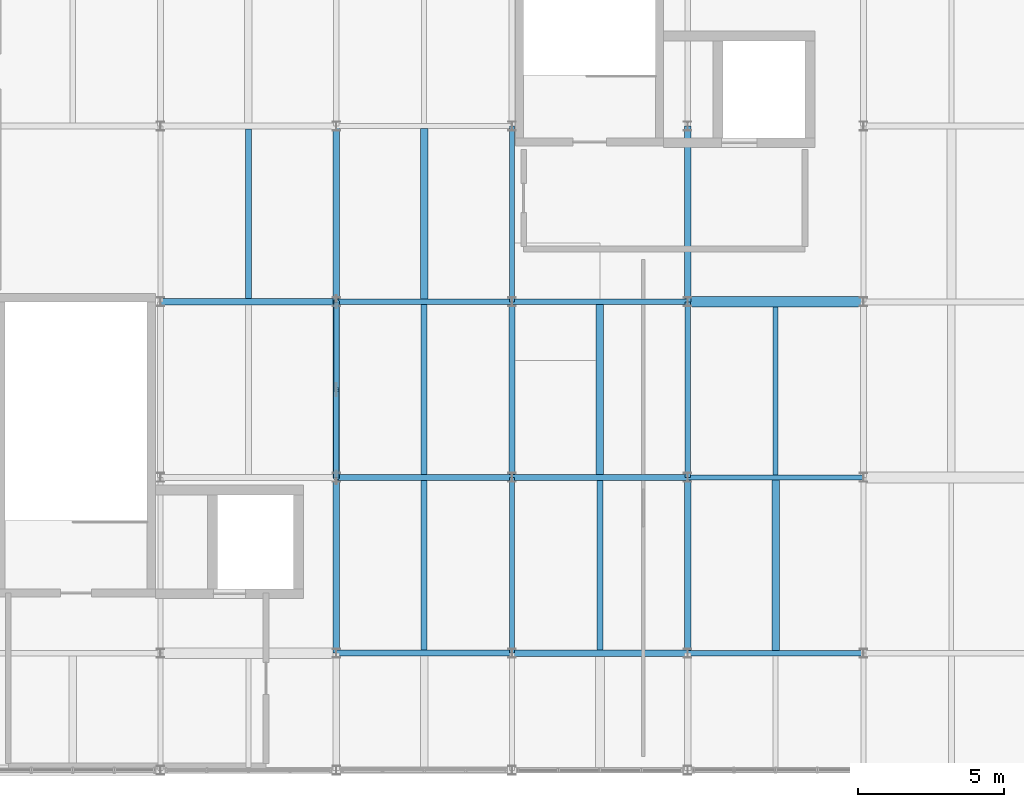
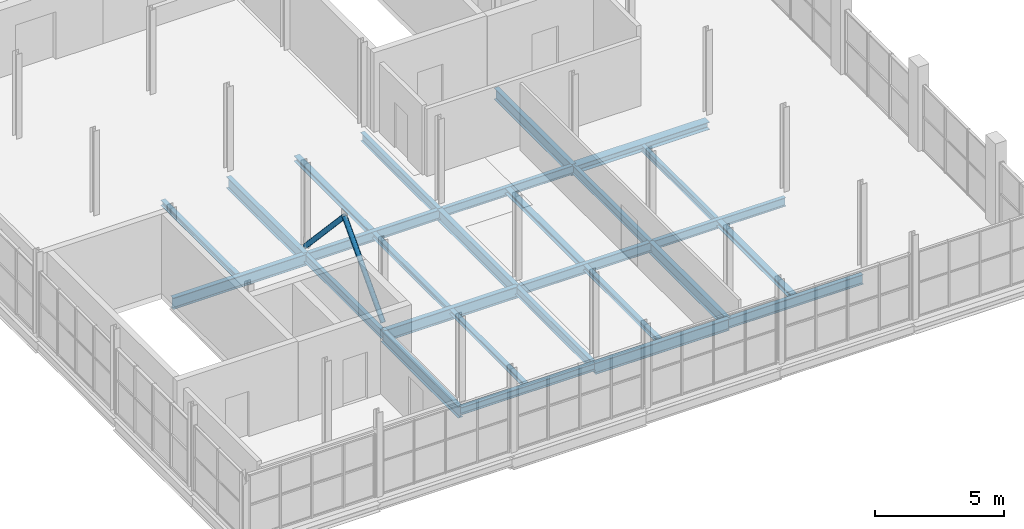
# One storey, part 64 of 96: 27 beams, 2 members.
"""IFC4 building model written with IfcOpenShell, lengths in metres."""

from ifc_helpers import new_model, si_unit, direction, frame, origin, origin_2d, place, context, subcontext, project, spatial, hollow_circle, i_section, extrude, material, material_profile, profile_set, type_object, element, save


model = new_model("IFC4")

# Units and contexts
model_context = context("Model", 3, precision=1e-05, world=origin(), true_north=direction((0.0, 1.0)))
body_context = subcontext(model_context, "Body", "Model", "MODEL_VIEW")
ifc_project = project(units=[si_unit("LENGTHUNIT", "METRE"), si_unit("AREAUNIT", "SQUARE_METRE"), si_unit("VOLUMEUNIT", "CUBIC_METRE"), si_unit("PLANEANGLEUNIT", "RADIAN"), si_unit("MASSUNIT", "GRAM", prefix="KILO")], contexts=[model_context])

# Site, building, storey
site_placement = place(None, origin())
site = spatial("IfcSite", under=ifc_project, at=site_placement, CompositionType="ELEMENT")
building_placement = place(site_placement, origin())
building = spatial("IfcBuilding", under=site, at=building_placement, Name="Verrall Gate Interchange", CompositionType="ELEMENT")
storey_placement = place(building_placement, frame((0.0, 0.0, 11.39990234375)))
storey = spatial("IfcBuildingStorey", under=building, at=storey_placement, Name="L03", CompositionType="ELEMENT", Elevation=11.39990234375)

# Beams
ifc_material_1 = material(Name="Structural Steel CSA G40.21 350W", Category="steel")
ifc_material_profile_1 = material_profile(ifc_material_1, i_section(OverallWidth=0.2109375, OverallDepth=0.5390625, WebThickness=0.01171875, FlangeThickness=0.018798828125, FilletRadius=0.013916015625, at=origin_2d()), Name="W530x109")
ifc_profile_set_1 = profile_set([ifc_material_profile_1], Name="Structural Steel CSA G40.21 350W")
beam_type_1 = type_object("IfcBeamType", Name="B-10 Structural Beam W530x109", PredefinedType="BEAM", material=ifc_profile_set_1)
for number, where, z_axis, x_axis, name in (
    (1, (150.0, 16.0, -0.599365234375), (1.0, 0.0, 0.0), (0.0, 1.0, 0.0), "L03 Girder BM-L03-2041 (B-10)"),
    (2, (144.0, 22.0, -0.599365234375), (1.0, 0.0, 0.0), (0.0, 1.0, 0.0), "L03 Girder BM-L03-2051 (B-10)"),
    (3, (138.0, 28.0, -0.599365234375), (1.0, 0.0, 0.0), (0.0, 1.0, 0.0), "L03 Girder BM-L03-2061 (B-10)"),
    (4, (144.0, 16.0, -0.599365234375), (0.0, 1.0, 0.0), (-1.0, 0.0, 0.0), "L03 Girder BM-L03-2340 (B-10)"),
    (5, (144.0, 28.0, -0.599365234375), (0.0, 1.0, 0.0), (-1.0, 0.0, 0.0), "L03 Girder BM-L03-2342 (B-10)"),
    (6, (150.0, 22.0, -0.599365234375), (0.0, 1.0, 0.0), (-1.0, 0.0, 0.0), "L03 Girder BM-L03-2349 (B-10)"),
    (7, (156.0, 16.0, -0.599365234375), (0.0, 1.0, 0.0), (-1.0, 0.0, 0.0), "L03 Girder BM-L03-2356 (B-10)"),
    (8, (156.0, 28.0, -0.599365234375), (0.0, 1.0, 0.0), (-1.0, 0.0, 0.0), "L03 Girder BM-L03-2358 (B-10)"),
):
    element("IfcBeam", number, at=place(storey_placement, frame(where, z_axis=z_axis, x_axis=x_axis)), inside=storey, type_object=beam_type_1, Name=name, PredefinedType="BEAM", context=body_context, shape_type="SweptSolid", body=[
        extrude(i_section(OverallWidth=0.2109375, OverallDepth=0.5390625, WebThickness=0.01171875, FlangeThickness=0.018798828125, FilletRadius=0.013916015625, at=origin_2d()), origin(), (0.0, 0.0, 1.0), 6.0),
    ])
ifc_material_2 = material(Name="Structural Steel CSA G40.21 350W", Category="steel")
ifc_material_profile_2 = material_profile(ifc_material_2, i_section(OverallWidth=0.19189453125, OverallDepth=0.462890625, WebThickness=0.010498046875, FlangeThickness=0.017578125, FilletRadius=0.012939453125, at=origin_2d()), Name="W460x89")
ifc_profile_set_2 = profile_set([ifc_material_profile_2], Name="Structural Steel CSA G40.21 350W")
beam_type_2 = type_object("IfcBeamType", Name="B-11 Structural Beam W460x89", PredefinedType="BEAM", material=ifc_profile_set_2)
for number, where, z_axis, x_axis, name in (
    (9, (156.0, 16.0, -0.5615234375), (1.0, 0.0, 0.0), (0.0, 1.0, 0.0), "L03 Girder BM-L03-2042 (B-11)"),
    (10, (150.0, 22.0, -0.5615234375), (1.0, 0.0, 0.0), (0.0, 1.0, 0.0), "L03 Girder BM-L03-2052 (B-11)"),
    (11, (144.0, 28.0, -0.5615234375), (1.0, 0.0, 0.0), (0.0, 1.0, 0.0), "L03 Girder BM-L03-2062 (B-11)"),
):
    element("IfcBeam", number, at=place(storey_placement, frame(where, z_axis=z_axis, x_axis=x_axis)), inside=storey, type_object=beam_type_2, Name=name, PredefinedType="BEAM", context=body_context, shape_type="SweptSolid", body=[
        extrude(i_section(OverallWidth=0.19189453125, OverallDepth=0.462890625, WebThickness=0.010498046875, FlangeThickness=0.017578125, FilletRadius=0.012939453125, at=origin_2d()), origin(), (0.0, 0.0, 1.0), 6.0),
    ])
ifc_material_3 = material(Name="Structural Steel CSA G40.21 350W", Category="steel")
ifc_material_profile_3 = material_profile(ifc_material_3, i_section(OverallWidth=0.178955078125, OverallDepth=0.409912109375, WebThickness=0.0087890625, FlangeThickness=0.014404296875, FilletRadius=0.011962890625, at=origin_2d()), Name="W410x67")
ifc_profile_set_3 = profile_set([ifc_material_profile_3], Name="Structural Steel CSA G40.21 350W")
beam_type_3 = type_object("IfcBeamType", Name="B-12 Structural Beam W410x67", PredefinedType="BEAM", material=ifc_profile_set_3)
for number, where, z_axis, x_axis, name in (
    (12, (156.0, 22.0, -0.534912109375), (1.0, 0.0, 0.0), (0.0, 1.0, 0.0), "L03 Girder BM-L03-2053 (B-12)"),
    (13, (150.0, 28.0, -0.534912109375), (1.0, 0.0, 0.0), (0.0, 1.0, 0.0), "L03 Girder BM-L03-2063 (B-12)"),
    (14, (144.0, 22.0, -0.534912109375), (0.0, 1.0, 0.0), (-1.0, 0.0, 0.0), "L03 Girder BM-L03-2341 (B-12)"),
    (15, (150.0, 16.0, -0.534912109375), (0.0, 1.0, 0.0), (-1.0, 0.0, 0.0), "L03 Girder BM-L03-2348 (B-12)"),
    (16, (150.0, 28.0, -0.534912109375), (0.0, 1.0, 0.0), (-1.0, 0.0, 0.0), "L03 Girder BM-L03-2350 (B-12)"),
    (17, (156.0, 22.0, -0.534912109375), (0.0, 1.0, 0.0), (-1.0, 0.0, 0.0), "L03 Girder BM-L03-2357 (B-12)"),
):
    element("IfcBeam", number, at=place(storey_placement, frame(where, z_axis=z_axis, x_axis=x_axis)), inside=storey, type_object=beam_type_3, Name=name, PredefinedType="BEAM", context=body_context, shape_type="SweptSolid", body=[
        extrude(i_section(OverallWidth=0.178955078125, OverallDepth=0.409912109375, WebThickness=0.0087890625, FlangeThickness=0.014404296875, FilletRadius=0.011962890625, at=origin_2d()), origin(), (0.0, 0.0, 1.0), 6.0),
    ])
ifc_material_4 = material(Name="Structural Steel CSA G40.21 350W", Category="steel")
ifc_material_profile_4 = material_profile(ifc_material_4, i_section(OverallWidth=0.368896484375, OverallDepth=0.35595703125, WebThickness=0.01123046875, FlangeThickness=0.01806640625, FilletRadius=0.014892578125, at=origin_2d()), Name="W360x134")
ifc_profile_set_4 = profile_set([ifc_material_profile_4], Name="Structural Steel CSA G40.21 350W")
beam_type_4 = type_object("IfcBeamType", Name="B-13 Structural Beam W360x134", PredefinedType="BEAM", material=ifc_profile_set_4)
beam_1_placement = place(storey_placement, frame((156.0, 28.0, -0.5078125), z_axis=(1.0, 0.0, 0.0), x_axis=(0.0, 1.0, 0.0)))
element("IfcBeam", 18, at=beam_1_placement, inside=storey, type_object=beam_type_4, Name="L03 Girder BM-L03-2064 (B-13)", PredefinedType="BEAM", context=body_context, shape_type="SweptSolid", body=[
    extrude(i_section(OverallWidth=0.368896484375, OverallDepth=0.35595703125, WebThickness=0.01123046875, FlangeThickness=0.01806640625, FilletRadius=0.014892578125, at=origin_2d()), origin(), (0.0, 0.0, 1.0), 6.0),
])
ifc_material_5 = material(Name="Structural Steel CSA G40.21 350W", Category="steel")
ifc_material_profile_5 = material_profile(ifc_material_5, i_section(OverallWidth=0.205078125, OverallDepth=0.35400390625, WebThickness=0.009521484375, FlangeThickness=0.016845703125, FilletRadius=0.012939453125, at=origin_2d()), Name="W360x79")
ifc_profile_set_5 = profile_set([ifc_material_profile_5], Name="Structural Steel CSA G40.21 350W")
beam_type_5 = type_object("IfcBeamType", Name="B-14 Structural Beam W360x79", PredefinedType="BEAM", material=ifc_profile_set_5)
beam_2_placement = place(storey_placement, frame((144.0, 16.0, -0.5068359375), z_axis=(1.0, 0.0, 0.0), x_axis=(0.0, 1.0, 0.0)))
element("IfcBeam", 19, at=beam_2_placement, inside=storey, type_object=beam_type_5, Name="L03 Girder BM-L03-2040 (B-14)", PredefinedType="BEAM", context=body_context, shape_type="SweptSolid", body=[
    extrude(i_section(OverallWidth=0.205078125, OverallDepth=0.35400390625, WebThickness=0.009521484375, FlangeThickness=0.016845703125, FilletRadius=0.012939453125, at=origin_2d()), origin(), (0.0, 0.0, 1.0), 6.0),
])

# Members
ifc_material_6 = material(Name="Structural Steel CSA G40.21 350W", Category="steel")
ifc_material_profile_6 = material_profile(ifc_material_6, hollow_circle(Radius=0.109619140625, WallThickness=0.008056640625, at=origin_2d()), Name="HSS219x8.0")
ifc_profile_set_6 = profile_set([ifc_material_profile_6], Name="Structural Steel CSA G40.21 350W")
member_type = type_object("IfcMemberType", Name="BR-02 Diagonal Brace HSS219x8.0", PredefinedType="BRACE", material=ifc_profile_set_6)
for number, where, z_axis, x_axis, name in (
    (20, (144.0, 22.0, 0.0), (0.0, 0.681645967553, 0.731682154299), (-1.0, 0.0, 0.0), "Chevron Brace CBF6 L03 Leg A"),
    (21, (144.0, 28.0, 0.0), (0.0, -0.681645967553, 0.731682154299), (1.0, 0.0, 0.0), "Chevron Brace CBF6 L03 Leg B"),
):
    element("IfcMember", number, at=place(storey_placement, frame(where, z_axis=z_axis, x_axis=x_axis)), inside=storey, type_object=member_type, Name=name, PredefinedType="BRACE", context=body_context, shape_type="SweptSolid", body=[
        extrude(hollow_circle(Radius=0.109619140625, WallThickness=0.008056640625, at=origin_2d()), origin(), (0.0, 0.0, 1.0), 4.401123046875),
    ])

# Beams
ifc_material_7 = material(Name="Structural Steel CSA G40.21 350W", Category="steel")
ifc_material_profile_7 = material_profile(ifc_material_7, i_section(OverallWidth=0.1650390625, OverallDepth=0.31005859375, WebThickness=0.005859375, FlangeThickness=0.009765625, FilletRadius=0.010009765625, at=origin_2d()), Name="W310x39")
ifc_profile_set_7 = profile_set([ifc_material_profile_7], Name="Structural Steel CSA G40.21 350W")
beam_type_6 = type_object("IfcBeamType", Name="J-04 Floor Joist W310x39", PredefinedType="JOIST", material=ifc_profile_set_7)
beam_3_placement = place(storey_placement, frame((159.0, 22.089599609375, -0.48486328125), z_axis=(0.0, 1.0, 0.0), x_axis=(-1.0, 0.0, 0.0)))
element("IfcBeam", 22, at=beam_3_placement, inside=storey, type_object=beam_type_6, Name="L03 Secondary Floor Joist JST-L03-2438", PredefinedType="JOIST", context=body_context, shape_type="SweptSolid", body=[
    extrude(i_section(OverallWidth=0.1650390625, OverallDepth=0.31005859375, WebThickness=0.005859375, FlangeThickness=0.009765625, FilletRadius=0.010009765625, at=origin_2d()), origin(), (0.0, 0.0, 1.0), 5.725830078125),
])
ifc_material_8 = material(Name="Structural Steel CSA G40.21 350W", Category="steel")
ifc_material_profile_8 = material_profile(ifc_material_8, i_section(OverallWidth=0.25390625, OverallDepth=0.2529296875, WebThickness=0.008544921875, FlangeThickness=0.01416015625, FilletRadius=0.011962890625, at=origin_2d()), Name="W250x73")
ifc_profile_set_8 = profile_set([ifc_material_profile_8], Name="Structural Steel CSA G40.21 350W")
beam_type_7 = type_object("IfcBeamType", Name="J-05 Floor Joist W250x73", PredefinedType="JOIST", material=ifc_profile_set_8)
for number, where, z_axis, x_axis, name in (
    (23, (159.0, 16.095947265625, -0.456298828125), (0.0, 1.0, 0.0), (-1.0, 0.0, 0.0), "L03 Secondary Floor Joist JST-L03-2429"),
    (24, (153.0, 22.095947265625, -0.456298828125), (0.0, 1.0, 0.0), (-1.0, 0.0, 0.0), "L03 Secondary Floor Joist JST-L03-2437"),
    (25, (147.0, 28.095947265625, -0.456298828125), (0.0, 1.0, 0.0), (-1.0, 0.0, 0.0), "L03 Secondary Floor Joist JST-L03-2445"),
):
    element("IfcBeam", number, at=place(storey_placement, frame(where, z_axis=z_axis, x_axis=x_axis)), inside=storey, type_object=beam_type_7, Name=name, PredefinedType="JOIST", context=body_context, shape_type="SweptSolid", body=[
        extrude(i_section(OverallWidth=0.25390625, OverallDepth=0.2529296875, WebThickness=0.008544921875, FlangeThickness=0.01416015625, FilletRadius=0.011962890625, at=origin_2d()), origin(), (0.0, 0.0, 1.0), 5.814453125),
    ])
ifc_material_9 = material(Name="Structural Steel CSA G40.21 350W", Category="steel")
ifc_material_profile_9 = material_profile(ifc_material_9, i_section(OverallWidth=0.201904296875, OverallDepth=0.2470703125, WebThickness=0.00732421875, FlangeThickness=0.010986328125, FilletRadius=0.010986328125, at=origin_2d()), Name="W250x49")
ifc_profile_set_9 = profile_set([ifc_material_profile_9], Name="Structural Steel CSA G40.21 350W")
beam_type_8 = type_object("IfcBeamType", Name="J-06 Floor Joist W250x49", PredefinedType="JOIST", material=ifc_profile_set_9)
for number, where, z_axis, x_axis, name in (
    (26, (153.0, 16.10546875, -0.453369140625), (0.0, 1.0, 0.0), (-1.0, 0.0, 0.0), "L03 Secondary Floor Joist JST-L03-2428"),
    (27, (147.0, 22.10546875, -0.453369140625), (0.0, 1.0, 0.0), (-1.0, 0.0, 0.0), "L03 Secondary Floor Joist JST-L03-2436"),
    (28, (141.0, 28.10546875, -0.453369140625), (0.0, 1.0, 0.0), (-1.0, 0.0, 0.0), "L03 Secondary Floor Joist JST-L03-2444"),
):
    element("IfcBeam", number, at=place(storey_placement, frame(where, z_axis=z_axis, x_axis=x_axis)), inside=storey, type_object=beam_type_8, Name=name, PredefinedType="JOIST", context=body_context, shape_type="SweptSolid", body=[
        extrude(i_section(OverallWidth=0.201904296875, OverallDepth=0.2470703125, WebThickness=0.00732421875, FlangeThickness=0.010986328125, FilletRadius=0.010986328125, at=origin_2d()), origin(), (0.0, 0.0, 1.0), 5.798583984375),
    ])
ifc_material_10 = material(Name="Structural Steel CSA G40.21 350W", Category="steel")
ifc_material_profile_10 = material_profile(ifc_material_10, i_section(OverallWidth=0.202880859375, OverallDepth=0.202880859375, WebThickness=0.007080078125, FlangeThickness=0.010986328125, FilletRadius=0.010009765625, at=origin_2d()), Name="W200x46")
ifc_profile_set_10 = profile_set([ifc_material_profile_10], Name="Structural Steel CSA G40.21 350W")
beam_type_9 = type_object("IfcBeamType", Name="J-07 Floor Joist W200x46", PredefinedType="JOIST", material=ifc_profile_set_10)
beam_4_placement = place(storey_placement, frame((147.0, 16.1025390625, -0.431396484375), z_axis=(0.0, 1.0, 0.0), x_axis=(-1.0, 0.0, 0.0)))
element("IfcBeam", 29, at=beam_4_placement, inside=storey, type_object=beam_type_9, Name="L03 Secondary Floor Joist JST-L03-2427", PredefinedType="JOIST", context=body_context, shape_type="SweptSolid", body=[
    extrude(i_section(OverallWidth=0.202880859375, OverallDepth=0.202880859375, WebThickness=0.007080078125, FlangeThickness=0.010986328125, FilletRadius=0.010009765625, at=origin_2d()), origin(), (0.0, 0.0, 1.0), 5.7919921875),
])

save(model, "model.ifc")
